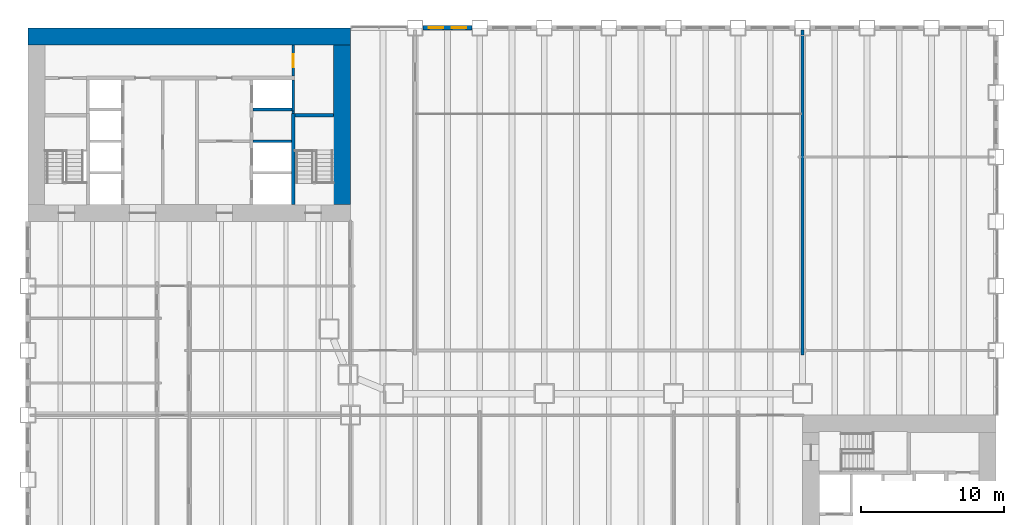
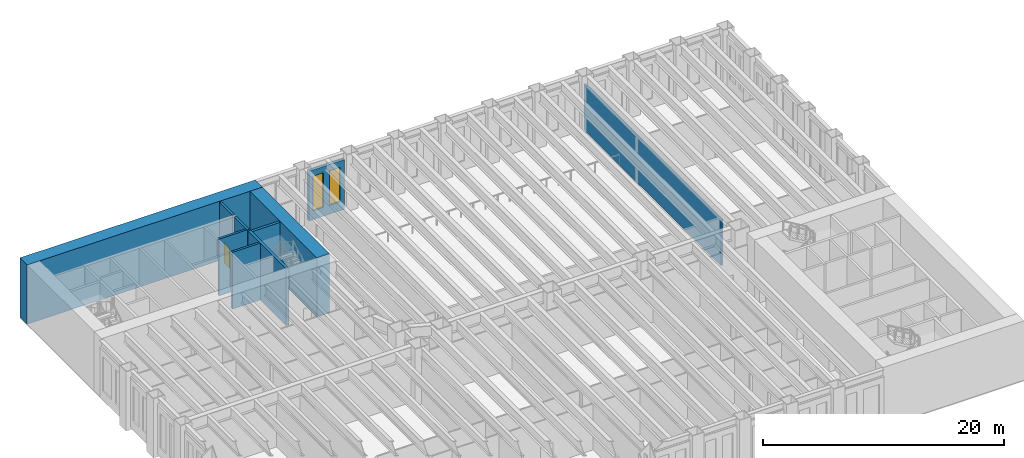
# One storey, part 12 of 19: 11 walls, 2 windows, 1 door, 3 openings.
"""IFC4 building model written with IfcOpenShell, lengths in metres."""

import ifcopenshell
import ifcopenshell.guid

model = None  # the IFC model being written
_history = None  # IfcOwnerHistory: only IFC2X3 demands one
_inside = {}  # id of a spatial element -> (the spatial element, [elements in it])
_under = {}  # id of a project, library or spatial element -> (it, [spatial elements below it])
_declared = {}  # id of a project -> (the project, [libraries it declares])
_typed = {}  # id of a type object -> (the type object, [elements of that type])
_made_of = {}  # id of a material, layer set ... -> (it, [elements and type objects made of it])


def new_model(schema):
    """Start an empty IFC model of exactly this schema.

    Asked for "IFC4X3", IfcOpenShell would pick the latest addendum, in which some entities
    have other attributes; the version numbers below select the first issue.
    IFC2X3 requires an IfcOwnerHistory on every rooted entity: one is made here for all.
    """
    global model, _history
    if schema == "IFC4X3":
        model = ifcopenshell.file(schema_version=(4, 3, 0, 0))
    else:
        model = ifcopenshell.file(schema=schema)
    _inside.clear()
    _under.clear()
    _declared.clear()
    _typed.clear()
    _made_of.clear()
    _history = None
    if model.schema == "IFC2X3":
        org = make("IfcOrganization", Name="unknown")
        user = make(
            "IfcPersonAndOrganization",
            ThePerson=make("IfcPerson", FamilyName="unknown"),
            TheOrganization=org,
        )
        app = make(
            "IfcApplication",
            ApplicationDeveloper=org,
            Version="unknown",
            ApplicationFullName="unknown",
            ApplicationIdentifier="unknown",
        )
        _history = make(
            "IfcOwnerHistory",
            OwningUser=user,
            OwningApplication=app,
            ChangeAction="ADDED",
            CreationDate=0,
        )
    return model


def make(cls, **values):
    """One entity of the class cls with the attributes given. An attribute that is None is left unset."""
    return model.create_entity(
        cls, **{name: value for name, value in values.items() if value is not None}
    )


def rooted(cls, **values):
    """An entity with a GlobalId (a new one), such as an element, a storey or a relation."""
    return make(cls, GlobalId=ifcopenshell.guid.new(), OwnerHistory=_history, **values)


def si_unit(unit_type, name, prefix=None):
    """IfcSIUnit, for example si_unit("LENGTHUNIT", "METRE", prefix="MILLI")."""
    return make("IfcSIUnit", UnitType=unit_type, Prefix=prefix, Name=name)


def assignment(units):
    """IfcUnitAssignment: the units of a project."""
    return None if units is None else make("IfcUnitAssignment", Units=units)


def point(xyz):
    """IfcCartesianPoint."""
    return None if xyz is None else make("IfcCartesianPoint", Coordinates=xyz)


def direction(xyz):
    """IfcDirection."""
    return None if xyz is None else make("IfcDirection", DirectionRatios=xyz)


def frame(location, z_axis=None, x_axis=None):
    """IfcAxis2Placement3D, a coordinate frame: its origin and axes. An axis left out is left unset."""
    return make(
        "IfcAxis2Placement3D",
        Location=point(location),
        Axis=direction(z_axis),
        RefDirection=direction(x_axis),
    )


def frame_2d(location, x_axis=None):
    """IfcAxis2Placement2D, a coordinate frame in the plane: its origin and x axis."""
    return make(
        "IfcAxis2Placement2D", Location=point(location), RefDirection=direction(x_axis)
    )


def origin():
    """The frame at (0, 0, 0) with its axes left unset."""
    return frame((0.0, 0.0, 0.0))


def place(relative_to, where):
    """IfcLocalPlacement: puts the frame where relative to a parent placement (None: the world)."""
    return make(
        "IfcLocalPlacement", PlacementRelTo=relative_to, RelativePlacement=where
    )


def context(
    kind, dimensions, precision=None, world=None, true_north=None, identifier=None
):
    """IfcGeometricRepresentationContext, for example the 3D "Model" context."""
    return make(
        "IfcGeometricRepresentationContext",
        ContextIdentifier=identifier,
        ContextType=kind,
        CoordinateSpaceDimension=dimensions,
        Precision=precision,
        WorldCoordinateSystem=world,
        TrueNorth=true_north,
    )


def subcontext(parent, identifier, kind, view, scale=None):
    """IfcGeometricRepresentationSubContext, for example "Body" below "Model"."""
    return make(
        "IfcGeometricRepresentationSubContext",
        ContextIdentifier=identifier,
        ContextType=kind,
        ParentContext=parent,
        TargetScale=scale,
        TargetView=view,
    )


def project(units=None, contexts=None):
    """IfcProject with its units and contexts."""
    return rooted(
        "IfcProject",
        Name="project",
        RepresentationContexts=contexts,
        UnitsInContext=assignment(units),
    )


def spatial(cls, under=None, at=None, **own):
    """A site, building, storey or space (cls), placed at a placement, below another one or the project."""
    s = rooted(cls, ObjectPlacement=at, **own)
    if under is not None:
        _under.setdefault(under.id(), (under, []))[1].append(s)
    return s


def profile(cls, at=None, kind="AREA", **sizes):
    """A parametric profile (cls). Its sizes go by their IFC names, for example OverallWidth=200.0."""
    return make(cls, ProfileType=kind, Position=at, **sizes)


def rectangle(**sizes):
    """IfcRectangleProfileDef."""
    return profile("IfcRectangleProfileDef", **sizes)


def extrude(swept, where, along, depth):
    """IfcExtrudedAreaSolid: the profile swept, set in the frame where, extruded along a direction by depth."""
    return make(
        "IfcExtrudedAreaSolid",
        SweptArea=swept,
        Position=where,
        ExtrudedDirection=direction(along),
        Depth=depth,
    )


def shape(context_of_items, identifier, shape_type, items):
    """IfcShapeRepresentation: the items that make up one representation, for example the "Body"."""
    return make(
        "IfcShapeRepresentation",
        ContextOfItems=context_of_items,
        RepresentationIdentifier=identifier,
        RepresentationType=shape_type,
        Items=items,
    )


def material(Name=None, Category=None):
    """IfcMaterial."""
    return make("IfcMaterial", Name=Name, Category=Category)


def layer(
    of_material, thickness, ventilated=None, Name=None, Category=None, Priority=None
):
    """IfcMaterialLayer: one layer of a wall or slab, of a material (None: an air gap)."""
    return make(
        "IfcMaterialLayer",
        Material=of_material,
        LayerThickness=thickness,
        IsVentilated=ventilated,
        Name=Name,
        Category=Category,
        Priority=Priority,
    )


def layer_set(layers, Name=None):
    """IfcMaterialLayerSet."""
    return make("IfcMaterialLayerSet", MaterialLayers=layers, LayerSetName=Name)


def made_of(thing, what):
    """Note that an element or type object is made of a material, layer set ...; save() writes the relation."""
    if what is not None:
        _made_of.setdefault(what.id(), (what, []))[1].append(thing)
    return thing


def type_object(cls, material=None, **own):
    """A type object (cls), such as IfcWallType, which elements share."""
    return made_of(rooted(cls, **own), material)


def element(
    cls,
    number,
    at=None,
    inside=None,
    cuts=None,
    type_object=None,
    material=None,
    context=None,
    identifier="Body",
    shape_type=None,
    held_by="IfcProductDefinitionShape",
    body=None,
    shapes=None,
    **own,
):
    """One element of the class cls, such as IfcWall. Its Tag is "e" and its number.

    at: its placement. inside: the storey or other place that contains it. cuts: it is an
    opening in that element (IfcRelVoidsElement). A single representation is given by context,
    identifier, shape_type and body (its items); several are given by shapes. held_by: the class
    of the entity that holds the representations. save() writes the other relations.
    """
    e = rooted(cls, Tag="e%d" % number, ObjectPlacement=at, **own)
    if body is not None:
        shapes = [shape(context, identifier, shape_type, body)]
    if shapes is not None:
        e.Representation = make(held_by, Representations=shapes)
    if inside is not None:
        _inside.setdefault(inside.id(), (inside, []))[1].append(e)
    if cuts is not None:
        rooted(
            "IfcRelVoidsElement", RelatingBuildingElement=cuts, RelatedOpeningElement=e
        )
    if type_object is not None:
        _typed.setdefault(type_object.id(), (type_object, []))[1].append(e)
    return made_of(e, material)


def fill(opening, filler):
    """IfcRelFillsElement: the door or window that sits in an opening."""
    return rooted(
        "IfcRelFillsElement",
        RelatingOpeningElement=opening,
        RelatedBuildingElement=filler,
    )


def aggregate(whole, parts):
    """IfcRelAggregates: a whole, such as a stair, and the parts it consists of."""
    return rooted("IfcRelAggregates", RelatingObject=whole, RelatedObjects=parts)


def save(model, path):
    """Write the relations noted so far, then the file.

    IfcRelAggregates (storeys below a building ...), IfcRelContainedInSpatialStructure (elements
    in a storey), IfcRelDefinesByType, IfcRelAssociatesMaterial and IfcRelDeclares: one each for
    every whole, place, type object, material and project.
    """
    for whole, parts in _under.values():
        aggregate(whole, parts)
    for where, things in _inside.values():
        rooted(
            "IfcRelContainedInSpatialStructure",
            RelatedElements=things,
            RelatingStructure=where,
        )
    for kind, things in _typed.values():
        rooted("IfcRelDefinesByType", RelatedObjects=things, RelatingType=kind)
    for what, things in _made_of.values():
        rooted("IfcRelAssociatesMaterial", RelatedObjects=things, RelatingMaterial=what)
    for by, libraries in _declared.values():
        rooted("IfcRelDeclares", RelatingContext=by, RelatedDefinitions=libraries)
    model.write(path)


model = new_model("IFC4")

# Units and contexts
model_context = context("Model", 3, precision=1e-05, world=origin(), true_north=direction((0.0, 1.0)))
body_context = subcontext(model_context, "Body", "Model", "MODEL_VIEW")
ifc_project = project(units=[si_unit("LENGTHUNIT", "METRE"), si_unit("AREAUNIT", "SQUARE_METRE"), si_unit("VOLUMEUNIT", "CUBIC_METRE"), si_unit("PLANEANGLEUNIT", "RADIAN"), si_unit("MASSUNIT", "GRAM", prefix="KILO")], contexts=[model_context])

# Site, building, storey
site_placement = place(None, origin())
site = spatial("IfcSite", under=ifc_project, at=site_placement, CompositionType="ELEMENT")
building_placement = place(site_placement, origin())
building = spatial("IfcBuilding", under=site, at=building_placement, Name="Sennacour Bend Tower", CompositionType="ELEMENT")
storey_placement = place(building_placement, frame((0.0, 0.0, 8.0)))
storey = spatial("IfcBuildingStorey", under=building, at=storey_placement, Name="L01", CompositionType="ELEMENT", Elevation=8.0)

# Walls
ifc_material_1 = material(Name="Concrete C80/95", Category="concrete")
ifc_layer_1 = layer(ifc_material_1, 1.199951171875, Name="Concrete C80/95", Category="concrete")
ifc_layer_set_1 = layer_set([ifc_layer_1], Name="Concrete C80/95")
wall_type_1 = type_object("IfcWallType", Name="Core wall 1200 C80/95", PredefinedType="SHEAR", material=ifc_layer_set_1)
wall_1_placement = place(storey_placement, frame((0.0, 48.89990234375, -0.14990234375), z_axis=(0.0, 0.0, 1.0), x_axis=(1.0, 0.0, 0.0)))
element("IfcWall", 1, at=wall_1_placement, inside=storey, type_object=wall_type_1, Name="Core B wall L01 N", PredefinedType="SHEAR", context=body_context, shape_type="SweptSolid", body=[
    extrude(rectangle(XDim=22.5, YDim=1.199951171875, at=frame_2d((11.25, 0.0))), origin(), (0.0, 0.0, 1.0), 6.0),
])
wall_2_placement = place(storey_placement, frame((21.89990234375, 37.199951171875, -0.14990234375), z_axis=(0.0, 0.0, 1.0), x_axis=(0.0, 1.0, 0.0)))
element("IfcWall", 2, at=wall_2_placement, inside=storey, type_object=wall_type_1, Name="Core B wall L01 E", PredefinedType="SHEAR", context=body_context, shape_type="SweptSolid", body=[
    extrude(rectangle(XDim=11.10009765625, YDim=1.199951171875, at=frame_2d((5.550048828125, 0.0))), origin(), (0.0, 0.0, 1.0), 6.0),
])
ifc_material_2 = material(Name="Fire-rated plasterboard partition on steel studs", Category="steel")
ifc_layer_2 = layer(ifc_material_2, 0.199951171875, Name="Fire-rated plasterboard partition on steel studs", Category="steel")
ifc_layer_set_2 = layer_set([ifc_layer_2], Name="Fire-rated plasterboard partition on steel studs")
wall_type_2 = type_object("IfcWallType", Name="Rated partition 200", PredefinedType="PARTITIONING", material=ifc_layer_set_2)
wall_3_placement = place(storey_placement, frame((18.5, 43.52490234375, 0.0), z_axis=(0.0, 0.0, 1.0), x_axis=(0.0, 1.0, 0.0)))
element("IfcWall", 3, at=wall_3_placement, inside=storey, type_object=wall_type_2, Name="P-L01-W018", PredefinedType="PARTITIONING", context=body_context, shape_type="SweptSolid", body=[
    extrude(rectangle(XDim=0.175048828125, YDim=0.199951171875, at=frame_2d((0.08740234375, 0.0))), origin(), (0.0, 0.0, 1.0), 5.75),
])

# Wall, opening, door
wall_4_placement = place(storey_placement, frame((18.5, 46.14990234375, 0.0), z_axis=(0.0, 0.0, 1.0), x_axis=(0.0, 1.0, 0.0)))
wall_4 = element("IfcWall", 4, at=wall_4_placement, inside=storey, type_object=wall_type_2, Name="P-L01-W020", PredefinedType="PARTITIONING", context=body_context, shape_type="SweptSolid", body=[
    extrude(rectangle(XDim=2.150146484375, YDim=0.199951171875, at=frame_2d((1.0751953125, 0.0))), origin(), (0.0, 0.0, 1.0), 5.75),
])
opening_1_placement = place(wall_4_placement, frame((0.60009765625, 0.0, 0.0)))
opening_1 = element("IfcOpeningElement", 5, at=opening_1_placement, cuts=wall_4, Name="Opening SV", PredefinedType="OPENING", context=body_context, shape_type="SweptSolid", body=[
    extrude(rectangle(XDim=0.89990234375, YDim=2.10009765625, at=frame_2d((0.449951171875, 1.050048828125))), frame((0.0, 0.10986328125, 0.0), z_axis=(0.0, -1.0, 0.0), x_axis=(1.0, 0.0, 0.0)), (0.0, 0.0, 1.0), 0.219970703125),
])
ifc_material_3 = material(Name="Painted steel", Category="steel")
door_type = type_object("IfcDoorType", Name="DR-SERVICE-900", OperationType="NOTDEFINED", PredefinedType="DOOR", material=ifc_material_3)
door_placement = place(opening_1_placement, origin())
door = element("IfcDoor", 6, at=door_placement, inside=storey, type_object=door_type, Name="Door", OperationType="SINGLE_SWING_LEFT", OverallHeight=2.10009765625, OverallWidth=0.89990234375, PredefinedType="DOOR", context=body_context, shape_type="SweptSolid", body=[
    extrude(rectangle(XDim=0.89990234375, YDim=2.10009765625, at=frame_2d((0.449951171875, 1.050048828125))), frame((0.0, 0.02490234375, 0.0), z_axis=(0.0, -1.0, 0.0), x_axis=(1.0, 0.0, 0.0)), (0.0, 0.0, 1.0), 0.050048828125),
])
fill(opening_1, door)

# Wall
wall_5_placement = place(storey_placement, frame((54.0, 26.699951171875, 0.0), z_axis=(0.0, 0.0, 1.0), x_axis=(0.0, 1.0, 0.0)))
element("IfcWall", 7, at=wall_5_placement, inside=storey, type_object=wall_type_2, Name="P-L01-W029a", PredefinedType="PARTITIONING", context=body_context, shape_type="SweptSolid", body=[
    extrude(rectangle(XDim=22.650146484375, YDim=0.199951171875, at=frame_2d((11.3251953125, 0.0))), origin(), (0.0, 0.0, 1.0), 4.66015625),
])

# Wall, openings, windows
ifc_material_4 = material(Name="Warm limestone cladding", Category="masonry")
ifc_layer_3 = layer(ifc_material_4, 0.050048828125, Name="Warm limestone cladding", Category="masonry")
ifc_material_5 = material(Name="Precast concrete C40/50", Category="concrete")
ifc_layer_4 = layer(ifc_material_5, 0.25, Name="Precast concrete C40/50", Category="concrete")
ifc_layer_set_3 = layer_set([ifc_layer_3, ifc_layer_4], Name="Precast concrete C40/50 with limestone cladding")
wall_type_3 = type_object("IfcWallType", Name="STONE-CLAD PRECAST SPANDREL 300", PredefinedType="STANDARD", material=ifc_layer_set_3)
wall_6_placement = place(storey_placement, frame((30.949951171875, 49.5, 0.0), z_axis=(0.0, 0.0, 1.0), x_axis=(-1.0, 0.0, 0.0)))
wall_6 = element("IfcWall", 8, at=wall_6_placement, inside=storey, type_object=wall_type_3, Name="Stone spandrel and pier wall L01 01.08", PredefinedType="STANDARD", context=body_context, shape_type="SweptSolid", body=[
    extrude(rectangle(XDim=3.39990234375, YDim=0.300048828125, at=frame_2d((1.699951171875, 0.0))), origin(), (0.0, 0.0, 1.0), 5.035888671875),
])
opening_2_placement = place(wall_6_placement, frame((0.39990234375, 0.0, 0.89990234375)))
opening_2 = element("IfcOpeningElement", 9, at=opening_2_placement, cuts=wall_6, Name="Opening W1", PredefinedType="OPENING", context=body_context, shape_type="SweptSolid", body=[
    extrude(rectangle(XDim=1.0, YDim=3.5, at=frame_2d((0.5, 1.75))), frame((0.0, 0.16015625, 0.0), z_axis=(0.0, -1.0, 0.0), x_axis=(1.0, 0.0, 0.0)), (0.0, 0.0, 1.0), 0.320068359375),
])
opening_3_placement = place(wall_6_placement, frame((2.0, 0.0, 0.89990234375)))
opening_3 = element("IfcOpeningElement", 10, at=opening_3_placement, cuts=wall_6, Name="Opening W1", PredefinedType="OPENING", context=body_context, shape_type="SweptSolid", body=[
    extrude(rectangle(XDim=1.0, YDim=3.5, at=frame_2d((0.5, 1.75))), frame((0.0, 0.16015625, 0.0), z_axis=(0.0, -1.0, 0.0), x_axis=(1.0, 0.0, 0.0)), (0.0, 0.0, 1.0), 0.320068359375),
])
ifc_material_6 = material(Name="Clear low-emissivity glass", Category="glass")
window_type = type_object("IfcWindowType", Name="WIN-RIBBON-1000x3500", PartitioningType="SINGLE_PANEL", PredefinedType="WINDOW", material=ifc_material_6)
window_1_placement = place(opening_2_placement, origin())
window_1 = element("IfcWindow", 11, at=window_1_placement, inside=storey, type_object=window_type, Name="Ribbon window L01 01.08.0", OverallHeight=3.5, OverallWidth=1.0, PartitioningType="SINGLE_PANEL", PredefinedType="WINDOW", context=body_context, shape_type="SweptSolid", body=[
    extrude(rectangle(XDim=1.0, YDim=3.5, at=frame_2d((0.5, 1.75))), frame((0.0, 0.030029296875, 0.0), z_axis=(0.0, -1.0, 0.0), x_axis=(1.0, 0.0, 0.0)), (0.0, 0.0, 1.0), 0.06005859375),
])
fill(opening_2, window_1)
window_2_placement = place(opening_3_placement, origin())
window_2 = element("IfcWindow", 12, at=window_2_placement, inside=storey, type_object=window_type, Name="Ribbon window L01 01.08.1", OverallHeight=3.5, OverallWidth=1.0, PartitioningType="SINGLE_PANEL", PredefinedType="WINDOW", context=body_context, shape_type="SweptSolid", body=[
    extrude(rectangle(XDim=1.0, YDim=3.5, at=frame_2d((0.5, 1.75))), frame((0.0, 0.030029296875, 0.0), z_axis=(0.0, -1.0, 0.0), x_axis=(1.0, 0.0, 0.0)), (0.0, 0.0, 1.0), 0.06005859375),
])
fill(opening_3, window_2)

# Walls
ifc_material_7 = material(Name="Concrete C50/60", Category="concrete")
ifc_layer_5 = layer(ifc_material_7, 0.199951171875, Name="Concrete C50/60", Category="concrete")
ifc_layer_set_4 = layer_set([ifc_layer_5], Name="Concrete C50/60")
wall_type_4 = type_object("IfcWallType", Name="Shaft wall 200", PredefinedType="SOLIDWALL", material=ifc_layer_set_4)
wall_7_placement = place(storey_placement, frame((18.5, 43.699951171875, 0.0), z_axis=(0.0, 0.0, 1.0), x_axis=(0.0, 1.0, 0.0)))
element("IfcWall", 13, at=wall_7_placement, inside=storey, type_object=wall_type_4, Name="P-L01-W019", PredefinedType="SOLIDWALL", context=body_context, shape_type="SweptSolid", body=[
    extrude(rectangle(XDim=2.150146484375, YDim=0.199951171875, at=frame_2d((1.0751953125, 0.0))), origin(), (0.0, 0.0, 1.0), 5.75),
])
wall_8_placement = place(storey_placement, frame((15.699951171875, 41.60009765625, 0.0), z_axis=(0.0, 0.0, 1.0), x_axis=(1.0, 0.0, 0.0)))
element("IfcWall", 14, at=wall_8_placement, inside=storey, type_object=wall_type_4, Name="P-L01-W074", PredefinedType="SOLIDWALL", context=body_context, shape_type="SweptSolid", body=[
    extrude(rectangle(XDim=2.675048828125, YDim=0.199951171875, at=frame_2d((1.33740234375, 0.0))), origin(), (0.0, 0.0, 1.0), 5.75),
])
wall_9_placement = place(storey_placement, frame((15.699951171875, 43.800048828125, 0.0), z_axis=(0.0, 0.0, 1.0), x_axis=(1.0, 0.0, 0.0)))
element("IfcWall", 15, at=wall_9_placement, inside=storey, type_object=wall_type_4, Name="P-L01-W078", PredefinedType="SOLIDWALL", context=body_context, shape_type="SweptSolid", body=[
    extrude(rectangle(XDim=2.699951171875, YDim=0.199951171875, at=frame_2d((1.35009765625, 0.0))), origin(), (0.0, 0.0, 1.0), 5.75),
])
ifc_material_8 = material(Name="Concrete C60/75", Category="concrete")
ifc_layer_6 = layer(ifc_material_8, 0.25, Name="Concrete C60/75", Category="concrete")
ifc_layer_set_5 = layer_set([ifc_layer_6], Name="Concrete C60/75")
wall_type_5 = type_object("IfcWallType", Name="Stair wall 250", PredefinedType="SHEAR", material=ifc_layer_set_5)
wall_10_placement = place(storey_placement, frame((18.5, 37.199951171875, 0.0), z_axis=(0.0, 0.0, 1.0), x_axis=(0.0, 1.0, 0.0)))
element("IfcWall", 16, at=wall_10_placement, inside=storey, type_object=wall_type_5, Name="P-L01-W017", PredefinedType="SHEAR", context=body_context, shape_type="SweptSolid", body=[
    extrude(rectangle(XDim=6.324951171875, YDim=0.25, at=frame_2d((3.16259765625, 0.0))), origin(), (0.0, 0.0, 1.0), 5.75),
])
wall_11_placement = place(storey_placement, frame((18.625, 43.39990234375, 0.0), z_axis=(0.0, 0.0, 1.0), x_axis=(1.0, 0.0, 0.0)))
element("IfcWall", 17, at=wall_11_placement, inside=storey, type_object=wall_type_5, Name="P-L01-W076", PredefinedType="SHEAR", context=body_context, shape_type="SweptSolid", body=[
    extrude(rectangle(XDim=2.675048828125, YDim=0.25, at=frame_2d((1.33740234375, 0.0))), origin(), (0.0, 0.0, 1.0), 5.75),
])

save(model, "model.ifc")
